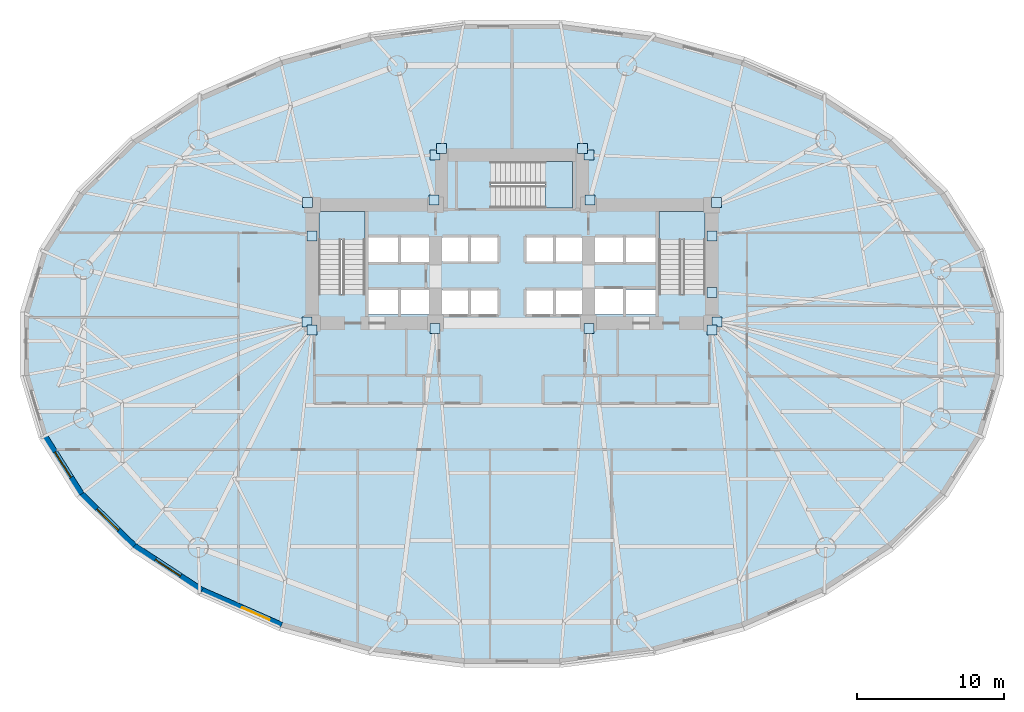
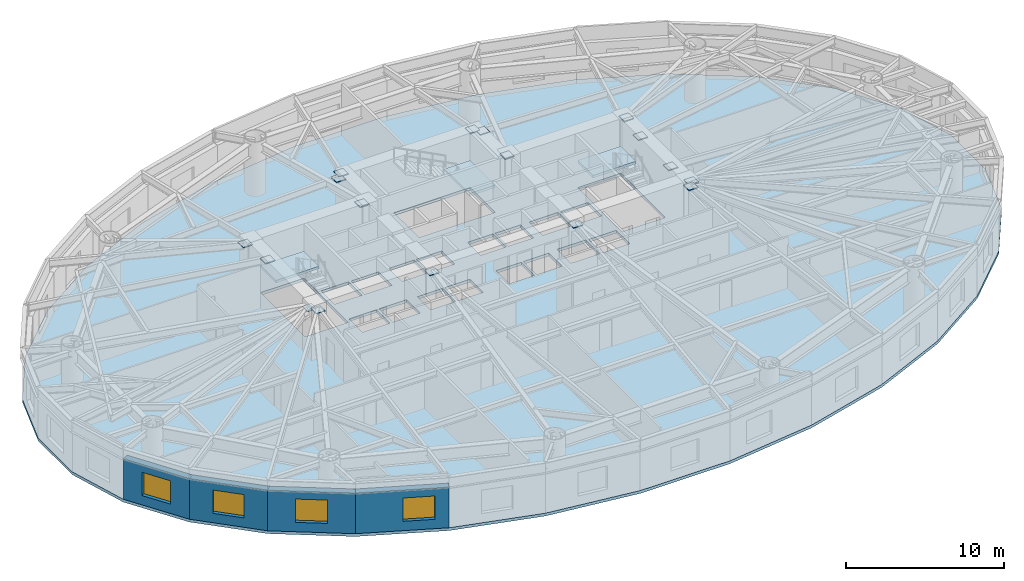
# One storey, part 4 of 14: 17 plates, 4 slabs, 4 walls, 4 windows, 4 openings, 3 elements without a shape of their own.
"""IFC4 building model written with IfcOpenShell, lengths in metres."""

from ifc_helpers import new_model, si_unit, direction, frame, frame_2d, origin, origin_2d, place, context, subcontext, project, spatial, polyline, rectangle, outline, extrude, material, layer, layer_set, type_object, element, fill, aggregate, save


model = new_model("IFC4")

# Units and contexts
model_context = context("Model", 3, precision=1e-05, world=origin(), true_north=direction((0.0, 1.0)))
body_context = subcontext(model_context, "Body", "Model", "MODEL_VIEW")
ifc_project = project(units=[si_unit("LENGTHUNIT", "METRE"), si_unit("AREAUNIT", "SQUARE_METRE"), si_unit("VOLUMEUNIT", "CUBIC_METRE"), si_unit("PLANEANGLEUNIT", "RADIAN"), si_unit("MASSUNIT", "GRAM", prefix="KILO")], contexts=[model_context])

# Site, building, storey
site_placement = place(None, origin())
site = spatial("IfcSite", under=ifc_project, at=site_placement, CompositionType="ELEMENT")
building_placement = place(site_placement, origin())
building = spatial("IfcBuilding", under=site, at=building_placement, Name="Keldmark Tower", CompositionType="ELEMENT")
storey_placement = place(building_placement, frame((0.0, 0.0, 18.60009765625)))
storey = spatial("IfcBuildingStorey", under=building, at=storey_placement, Name="L04", CompositionType="ELEMENT", Elevation=18.60009765625)

# Plates
ifc_material_1 = material(Name="Steel ASTM A572 Grade 50", Category="steel")
ifc_layer_1 = layer(ifc_material_1, 0.06005859375)
ifc_layer_set_1 = layer_set([ifc_layer_1], Name="Steel ASTM A572 Grade 50")
plate_type = type_object("IfcPlateType", Name="Belt Truss Kink Node Assembly KN01 60 mm", PredefinedType="USERDEFINED", material=ifc_layer_set_1)
for number, where, z_axis, x_axis, name in (
    (1, (13.940673828125, 1.48046875, 3.6416015625), (0.0, 0.0, 1.0), (1.0, 0.0, 0.0), "L04 Core Wall Cast-In Embed Plate 086"),
    (2, (13.904296875, 9.623046875, 3.6416015625), (0.0, 0.0, 1.0), (1.0, 0.0, 0.0), "L04 Core Wall Cast-In Embed Plate 087"),
    (3, (5.293212890625, 9.787353515625, 3.6416015625), (0.0, 0.0, 1.0), (1.0, 0.0, 0.0), "L04 Core Wall Cast-In Embed Plate 088"),
    (4, (-5.293212890625, 9.787353515625, 3.6416015625), (0.0, 0.0, 1.0), (1.0, 0.0, 0.0), "L04 Core Wall Cast-In Embed Plate 089"),
    (5, (-13.904296875, 9.623046875, 3.6416015625), (0.0, 0.0, 1.0), (1.0, 0.0, 0.0), "L04 Core Wall Cast-In Embed Plate 090"),
    (6, (-13.940673828125, 1.48046875, 3.6416015625), (0.0, 0.0, 1.0), (1.0, 0.0, 0.0), "L04 Core Wall Cast-In Embed Plate 091"),
    (7, (-5.24462890625, 1.052978515625, 3.6416015625), (0.0, 0.0, 1.0), (1.0, 0.0, 0.0), "L04 Core Wall Cast-In Embed Plate 092"),
    (8, (5.24462890625, 1.052978515625, 3.6416015625), (0.0, 0.0, 1.0), (1.0, 0.0, 0.0), "L04 Core Wall Cast-In Embed Plate 093"),
    (9, (5.25, 12.85009765625, 3.68408203125), (0.0, 0.0, 1.0), (1.0, 0.0, 0.0), "L04 Core Wall Cast-In Embed Plate 094"),
    (10, (-5.25, 12.85009765625, 3.68408203125), (0.0, 0.0, 1.0), (1.0, 0.0, 0.0), "L04 Core Wall Cast-In Embed Plate 095"),
    (11, (13.60009765625, 3.507080078125, 3.68408203125), (0.0, 0.0, 1.0), (1.0, 0.0, 0.0), "L04 Core Wall Cast-In Embed Plate 096"),
    (12, (13.60009765625, 7.343017578125, 3.68408203125), (0.0, 0.0, 1.0), (1.0, 0.0, 0.0), "L04 Core Wall Cast-In Embed Plate 097"),
    (13, (4.800048828125, 13.300048828125, 3.68408203125), (0.0, 0.0, 1.0), (1.0, 0.0, 0.0), "L04 Core Wall Cast-In Embed Plate 098"),
    (14, (-4.800048828125, 13.300048828125, 3.68408203125), (0.0, 0.0, 1.0), (1.0, 0.0, 0.0), "L04 Core Wall Cast-In Embed Plate 099"),
    (15, (-13.60009765625, 7.343017578125, 3.68408203125), (0.0, 0.0, 1.0), (1.0, 0.0, 0.0), "L04 Core Wall Cast-In Embed Plate 100"),
    (16, (-13.60009765625, 0.949951171875, 3.68408203125), (0.0, 0.0, 1.0), (1.0, 0.0, 0.0), "L04 Core Wall Cast-In Embed Plate 101"),
    (17, (13.60009765625, 0.949951171875, 3.68408203125), (0.0, 0.0, 1.0), (1.0, 0.0, 0.0), "L04 Core Wall Cast-In Embed Plate 102"),
):
    element("IfcPlate", number, at=place(storey_placement, frame(where, z_axis=z_axis, x_axis=x_axis)), inside=storey, type_object=plate_type, Name=name, ObjectType="CAP PLATE", PredefinedType="USERDEFINED", context=body_context, shape_type="SweptSolid", body=[
        extrude(rectangle(XDim=0.679931640625, YDim=0.679931640625, at=origin_2d()), origin(), (0.0, 0.0, 1.0), 0.054931640625),
    ])

# Stair, slab
ifc_material_2 = material(Name="Concrete C40/50", Category="concrete")
stair_type = type_object("IfcStairType", Name="Precast Concrete Core Exit Stair", PredefinedType="HALF_TURN_STAIR", material=ifc_material_2)
stair_1_placement = place(storey_placement, origin())
stair_1 = element("IfcStair", 18, at=stair_1_placement, inside=storey, type_object=stair_type, Name="L04 Exit Stair ST1", PredefinedType="HALF_TURN_STAIR")
ifc_material_3 = material(Name="Concrete C40/50", Category="concrete")
ifc_layer_2 = layer(ifc_material_3, 0.199951171875)
ifc_layer_set_2 = layer_set([ifc_layer_2], Name="Concrete C40/50")
slab_type_1 = type_object("IfcSlabType", Name="Reinforced Concrete Stair Landing 200 mm", PredefinedType="LANDING", material=ifc_layer_set_2)
slab_1_placement = place(storey_placement, frame((0.0, 0.0, 1.89990234375)))
slab_1 = element("IfcSlab", 19, at=slab_1_placement, type_object=slab_type_1, Name="ST1 landing 1", PredefinedType="LANDING", context=body_context, shape_type="SweptSolid", body=[
    extrude(outline(polyline([(-10.0, 7.070068359375), (-10.0, 9.0), (-13.14990234375, 9.0), (-13.14990234375, 7.070068359375), (-10.0, 7.070068359375)])), origin(), (0.0, 0.0, 1.0), 0.199951171875),
])
aggregate(stair_1, [slab_1])

stair_2_placement = place(storey_placement, origin())
stair_2 = element("IfcStair", 20, at=stair_2_placement, inside=storey, type_object=stair_type, Name="L04 Exit Stair ST2", PredefinedType="HALF_TURN_STAIR")
slab_2_placement = place(storey_placement, frame((0.0, 0.0, 1.89990234375)))
slab_2 = element("IfcSlab", 21, at=slab_2_placement, type_object=slab_type_1, Name="ST2 landing 1", PredefinedType="LANDING", context=body_context, shape_type="SweptSolid", body=[
    extrude(outline(polyline([(13.14990234375, 7.070068359375), (13.14990234375, 9.0), (10.0, 9.0), (10.0, 7.070068359375), (13.14990234375, 7.070068359375)])), origin(), (0.0, 0.0, 1.0), 0.199951171875),
])
aggregate(stair_2, [slab_2])

stair_3_placement = place(storey_placement, origin())
stair_3 = element("IfcStair", 22, at=stair_3_placement, inside=storey, type_object=stair_type, Name="L04 Exit Stair ST3", PredefinedType="HALF_TURN_STAIR")
slab_3_placement = place(storey_placement, frame((0.0, 0.0, 1.89990234375)))
slab_3 = element("IfcSlab", 23, at=slab_3_placement, type_object=slab_type_1, Name="ST3 landing 1", PredefinedType="LANDING", context=body_context, shape_type="SweptSolid", body=[
    extrude(outline(polyline([(2.2451171875, 9.25), (4.10498046875, 9.25), (4.10498046875, 12.39990234375), (2.2451171875, 12.39990234375), (2.2451171875, 9.25)])), origin(), (0.0, 0.0, 1.0), 0.199951171875),
])
aggregate(stair_3, [slab_3])

# Slab
ifc_material_4 = material(Name="Concrete C35/45", Category="concrete")
ifc_layer_3 = layer(ifc_material_4, 0.219970703125)
ifc_layer_set_3 = layer_set([ifc_layer_3], Name="Concrete C35/45")
slab_type_2 = type_object("IfcSlabType", Name="Sky Lobby Floor Slab 220 mm", PredefinedType="FLOOR", material=ifc_layer_set_3)
slab_4_placement = place(storey_placement, frame((0.0, 0.0, -0.22021484375)))
element("IfcSlab", 24, at=slab_4_placement, inside=storey, type_object=slab_type_2, Name="L04 Composite Structural Floor Slab", PredefinedType="FLOOR", context=body_context, shape_type="SweptSolid", body=[
    extrude(outline(polyline([(33.338623046875, 2.156494140625), (32.0576171875, 6.38623046875), (29.54443359375, 10.37060546875), (25.89599609375, 13.956787109375), (21.252197265625, 17.006103515625), (15.791748046875, 19.40234375), (9.724609375, 21.052734375), (3.28369140625, 21.89404296875), (-3.28369140625, 21.89404296875), (-9.724609375, 21.052734375), (-15.791748046875, 19.40234375), (-21.252197265625, 17.006103515625), (-25.89599609375, 13.956787109375), (-29.54443359375, 10.37060546875), (-32.0576171875, 6.38623046875), (-33.338623046875, 2.156494140625), (-33.338623046875, -2.156494140625), (-32.0576171875, -6.38623046875), (-29.54443359375, -10.37060546875), (-25.89599609375, -13.956787109375), (-21.252197265625, -17.006103515625), (-15.791748046875, -19.40234375), (-9.724609375, -21.052734375), (-3.28369140625, -21.89404296875), (3.28369140625, -21.89404296875), (9.724609375, -21.052734375), (15.791748046875, -19.40234375), (21.252197265625, -17.006103515625), (25.89599609375, -13.956787109375), (29.54443359375, -10.37060546875), (32.0576171875, -6.38623046875), (33.338623046875, -2.156494140625), (33.338623046875, 2.156494140625)]), holes=[polyline([(-10.0, 3.385009765625), (-10.0, 9.0), (-13.14990234375, 9.0), (-13.14990234375, 3.385009765625), (-10.0, 3.385009765625)]), polyline([(13.14990234375, 3.385009765625), (13.14990234375, 9.0), (10.0, 9.0), (10.0, 3.385009765625), (13.14990234375, 3.385009765625)]), polyline([(-1.43994140625, 9.25), (4.10498046875, 9.25), (4.10498046875, 12.39990234375), (-1.43994140625, 12.39990234375), (-1.43994140625, 9.25)]), polyline([(-9.75, 2.0), (-7.75, 2.0), (-7.75, 3.699951171875), (-9.75, 3.699951171875), (-9.75, 2.0)]), polyline([(7.75, 2.0), (9.75, 2.0), (9.75, 3.699951171875), (7.75, 3.699951171875), (7.75, 2.0)]), polyline([(5.449951171875, 2.0), (7.550048828125, 2.0), (7.550048828125, 3.75), (5.449951171875, 3.75), (5.449951171875, 2.0)]), polyline([(-4.800048828125, 2.0), (-2.949951171875, 2.0), (-2.949951171875, 3.64990234375), (-4.800048828125, 3.64990234375), (-4.800048828125, 2.0)]), polyline([(-2.800048828125, 2.0), (-0.949951171875, 2.0), (-0.949951171875, 3.64990234375), (-2.800048828125, 3.64990234375), (-2.800048828125, 2.0)]), polyline([(0.949951171875, 2.0), (2.800048828125, 2.0), (2.800048828125, 3.64990234375), (0.949951171875, 3.64990234375), (0.949951171875, 2.0)]), polyline([(2.949951171875, 2.0), (4.800048828125, 2.0), (4.800048828125, 3.64990234375), (2.949951171875, 3.64990234375), (2.949951171875, 2.0)]), polyline([(-4.800048828125, 5.60009765625), (-2.949951171875, 5.60009765625), (-2.949951171875, 7.25), (-4.800048828125, 7.25), (-4.800048828125, 5.60009765625)]), polyline([(-2.800048828125, 5.60009765625), (-0.949951171875, 5.60009765625), (-0.949951171875, 7.25), (-2.800048828125, 7.25), (-2.800048828125, 5.60009765625)]), polyline([(0.949951171875, 5.60009765625), (2.800048828125, 5.60009765625), (2.800048828125, 7.25), (0.949951171875, 7.25), (0.949951171875, 5.60009765625)]), polyline([(2.949951171875, 5.60009765625), (4.800048828125, 5.60009765625), (4.800048828125, 7.25), (2.949951171875, 7.25), (2.949951171875, 5.60009765625)]), polyline([(-9.75, 5.550048828125), (-7.75, 5.550048828125), (-7.75, 7.25), (-9.75, 7.25), (-9.75, 5.550048828125)]), polyline([(-7.550048828125, 5.550048828125), (-5.550048828125, 5.550048828125), (-5.550048828125, 7.25), (-7.550048828125, 7.25), (-7.550048828125, 5.550048828125)]), polyline([(-7.550048828125, 2.0), (-5.550048828125, 2.0), (-5.550048828125, 3.699951171875), (-7.550048828125, 3.699951171875), (-7.550048828125, 2.0)]), polyline([(5.449951171875, 5.550048828125), (7.550048828125, 5.550048828125), (7.550048828125, 7.25), (5.449951171875, 7.25), (5.449951171875, 5.550048828125)]), polyline([(7.75, 5.550048828125), (9.75, 5.550048828125), (9.75, 7.25), (7.75, 7.25), (7.75, 5.550048828125)])]), origin(), (0.0, 0.0, 1.0), 0.22021484375),
])

# Wall, opening, window
ifc_material_5 = material(Name="Ironspot Manganese Brick and Kasota Buff Limestone Cavity Assembly", Category="masonry")
ifc_layer_4 = layer(ifc_material_5, 0.47998046875)
ifc_layer_set_4 = layer_set([ifc_layer_4], Name="Ironspot Manganese Brick and Kasota Buff Limestone Cavity Assembly")
wall_type = type_object("IfcWallType", Name="Podium Brick and Limestone Cavity Wall 480 mm", PredefinedType="STANDARD", material=ifc_layer_set_4)
wall_1_placement = place(storey_placement, frame((-29.34130859375, -10.24267578125, 0.0), z_axis=(0.0, 0.0, 1.0), x_axis=(-0.53349762721, 0.845801561693, 0.0)))
wall_1 = element("IfcWall", 25, at=wall_1_placement, inside=storey, type_object=wall_type, Name="L04 Exterior Brick and Spandrel Wall 18", PredefinedType="STANDARD", context=body_context, shape_type="SweptSolid", body=[
    extrude(rectangle(XDim=4.710693359375, YDim=0.47998046875, at=frame_2d((2.35546875, 0.0))), origin(), (0.0, 0.0, 1.0), 3.10888671875),
])
opening_1_placement = place(wall_1_placement, frame((1.330322265625, 0.0, 0.719970703125)))
opening_1 = element("IfcOpeningElement", 26, at=opening_1_placement, cuts=wall_1, Name="Opening W-07", PredefinedType="OPENING", context=body_context, shape_type="SweptSolid", body=[
    extrude(rectangle(XDim=2.050048828125, YDim=1.800048828125, at=frame_2d((1.02490234375, 0.89990234375))), frame((0.0, 0.25, 0.0), z_axis=(0.0, -1.0, 0.0), x_axis=(1.0, 0.0, 0.0)), (0.0, 0.0, 1.0), 0.5),
])
ifc_material_6 = material(Name="Thermally Broken Anodized Aluminum and Triple Low-E Argon Glazing", Category="aluminium")
window_type = type_object("IfcWindowType", Name="Podium Mezzanine Punched Window 2050x1800", PartitioningType="DOUBLE_PANEL_VERTICAL", PredefinedType="WINDOW", material=ifc_material_6)
window_1_placement = place(opening_1_placement, origin())
window_1 = element("IfcWindow", 27, at=window_1_placement, inside=storey, type_object=window_type, Name="L04 Deep-Set Window 18", OverallHeight=1.800048828125, OverallWidth=2.050048828125, PartitioningType="SINGLE_PANEL", PredefinedType="WINDOW", context=body_context, shape_type="SweptSolid", body=[
    extrude(rectangle(XDim=2.050048828125, YDim=1.800048828125, at=frame_2d((1.02490234375, 0.89990234375))), frame((0.0, -0.010009765625, 0.0), z_axis=(0.0, -1.0, 0.0), x_axis=(1.0, 0.0, 0.0)), (0.0, 0.0, 1.0), 0.06005859375),
])
fill(opening_1, window_1)

wall_2_placement = place(storey_placement, frame((-25.727783203125, -13.785400390625, 0.0), z_axis=(0.0, 0.0, 1.0), x_axis=(-0.713189080178, 0.700971708355, 0.0)))
wall_2 = element("IfcWall", 28, at=wall_2_placement, inside=storey, type_object=wall_type, Name="L04 Exterior Brick and Spandrel Wall 19", PredefinedType="STANDARD", context=body_context, shape_type="SweptSolid", body=[
    extrude(rectangle(XDim=5.11572265625, YDim=0.47998046875, at=frame_2d((2.557861328125, 0.0))), origin(), (0.0, 0.0, 1.0), 3.10888671875),
])
opening_2_placement = place(wall_2_placement, frame((1.532958984375, 0.0, 0.719970703125)))
opening_2 = element("IfcOpeningElement", 29, at=opening_2_placement, cuts=wall_2, Name="Opening W-07", PredefinedType="OPENING", context=body_context, shape_type="SweptSolid", body=[
    extrude(rectangle(XDim=2.050048828125, YDim=1.800048828125, at=frame_2d((1.02490234375, 0.89990234375))), frame((0.0, 0.25, 0.0), z_axis=(0.0, -1.0, 0.0), x_axis=(1.0, 0.0, 0.0)), (0.0, 0.0, 1.0), 0.5),
])
window_2_placement = place(opening_2_placement, origin())
window_2 = element("IfcWindow", 30, at=window_2_placement, inside=storey, type_object=window_type, Name="L04 Deep-Set Window 19", OverallHeight=1.800048828125, OverallWidth=2.050048828125, PartitioningType="SINGLE_PANEL", PredefinedType="WINDOW", context=body_context, shape_type="SweptSolid", body=[
    extrude(rectangle(XDim=2.050048828125, YDim=1.800048828125, at=frame_2d((1.02490234375, 0.89990234375))), frame((0.0, -0.010009765625, 0.0), z_axis=(0.0, -1.0, 0.0), x_axis=(1.0, 0.0, 0.0)), (0.0, 0.0, 1.0), 0.06005859375),
])
fill(opening_2, window_2)

wall_3_placement = place(storey_placement, frame((-21.12060546875, -16.8056640625, 0.0), z_axis=(0.0, 0.0, 1.0), x_axis=(-0.835863918172, 0.548936708827, 0.0)))
wall_3 = element("IfcWall", 31, at=wall_3_placement, inside=storey, type_object=wall_type, Name="L04 Exterior Brick and Spandrel Wall 20", PredefinedType="STANDARD", context=body_context, shape_type="SweptSolid", body=[
    extrude(rectangle(XDim=5.555419921875, YDim=0.47998046875, at=frame_2d((2.77783203125, 0.0))), origin(), (0.0, 0.0, 1.0), 3.10888671875),
])
opening_3_placement = place(wall_3_placement, frame((1.752685546875, 0.0, 0.719970703125)))
opening_3 = element("IfcOpeningElement", 32, at=opening_3_placement, cuts=wall_3, Name="Opening W-07", PredefinedType="OPENING", context=body_context, shape_type="SweptSolid", body=[
    extrude(rectangle(XDim=2.050048828125, YDim=1.800048828125, at=frame_2d((1.02490234375, 0.89990234375))), frame((0.0, 0.25, 0.0), z_axis=(0.0, -1.0, 0.0), x_axis=(1.0, 0.0, 0.0)), (0.0, 0.0, 1.0), 0.5),
])
window_3_placement = place(opening_3_placement, origin())
window_3 = element("IfcWindow", 33, at=window_3_placement, inside=storey, type_object=window_type, Name="L04 Deep-Set Window 20", OverallHeight=1.800048828125, OverallWidth=2.050048828125, PartitioningType="SINGLE_PANEL", PredefinedType="WINDOW", context=body_context, shape_type="SweptSolid", body=[
    extrude(rectangle(XDim=2.050048828125, YDim=1.800048828125, at=frame_2d((1.02490234375, 0.89990234375))), frame((0.0, -0.010009765625, 0.0), z_axis=(0.0, -1.0, 0.0), x_axis=(1.0, 0.0, 0.0)), (0.0, 0.0, 1.0), 0.06005859375),
])
fill(opening_3, window_3)

wall_4_placement = place(storey_placement, frame((-15.6953125, -19.1826171875, 0.0), z_axis=(0.0, 0.0, 1.0), x_axis=(-0.91570760638, 0.401845218484, 0.0)))
wall_4 = element("IfcWall", 34, at=wall_4_placement, inside=storey, type_object=wall_type, Name="L04 Exterior Brick and Spandrel Wall 21", PredefinedType="STANDARD", context=body_context, shape_type="SweptSolid", body=[
    extrude(rectangle(XDim=5.963134765625, YDim=0.47998046875, at=frame_2d((2.9814453125, 0.0))), origin(), (0.0, 0.0, 1.0), 3.10888671875),
])
opening_4_placement = place(wall_4_placement, frame((0.892578125, 0.0, 0.719970703125)))
opening_4 = element("IfcOpeningElement", 35, at=opening_4_placement, cuts=wall_4, Name="Opening W-07", PredefinedType="OPENING", context=body_context, shape_type="SweptSolid", body=[
    extrude(rectangle(XDim=2.050048828125, YDim=1.800048828125, at=frame_2d((1.02490234375, 0.89990234375))), frame((0.0, 0.25, 0.0), z_axis=(0.0, -1.0, 0.0), x_axis=(1.0, 0.0, 0.0)), (0.0, 0.0, 1.0), 0.5),
])
window_4_placement = place(opening_4_placement, origin())
window_4 = element("IfcWindow", 36, at=window_4_placement, inside=storey, type_object=window_type, Name="L04 Deep-Set Window 21", OverallHeight=1.800048828125, OverallWidth=2.050048828125, PartitioningType="SINGLE_PANEL", PredefinedType="WINDOW", context=body_context, shape_type="SweptSolid", body=[
    extrude(rectangle(XDim=2.050048828125, YDim=1.800048828125, at=frame_2d((1.02490234375, 0.89990234375))), frame((0.0, -0.010009765625, 0.0), z_axis=(0.0, -1.0, 0.0), x_axis=(1.0, 0.0, 0.0)), (0.0, 0.0, 1.0), 0.06005859375),
])
fill(opening_4, window_4)

save(model, "model.ifc")
